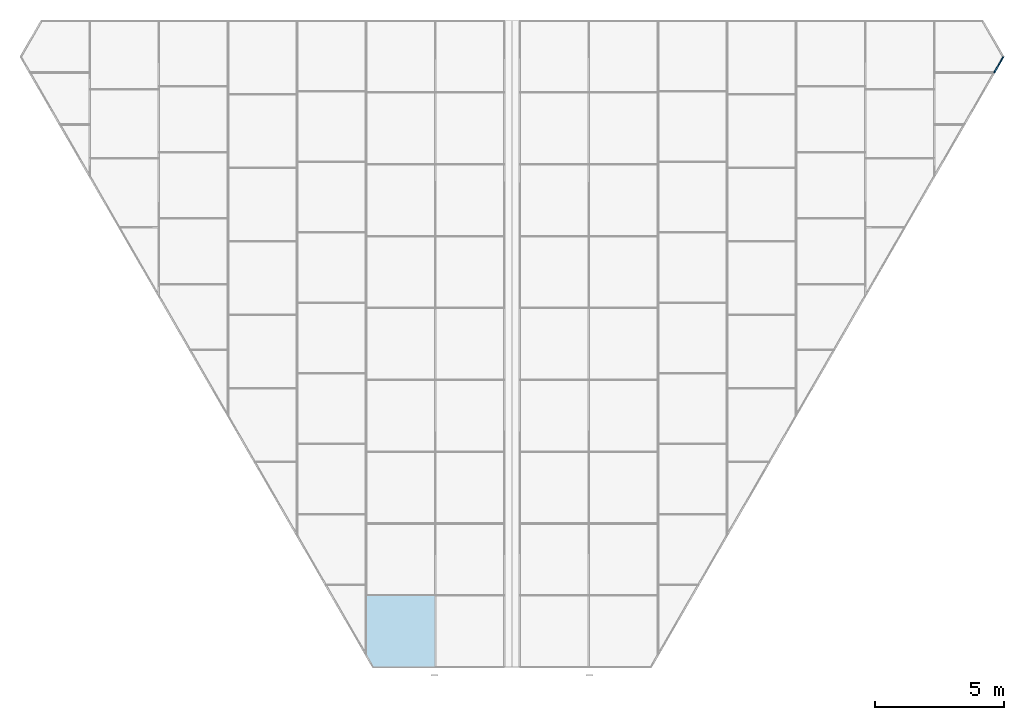
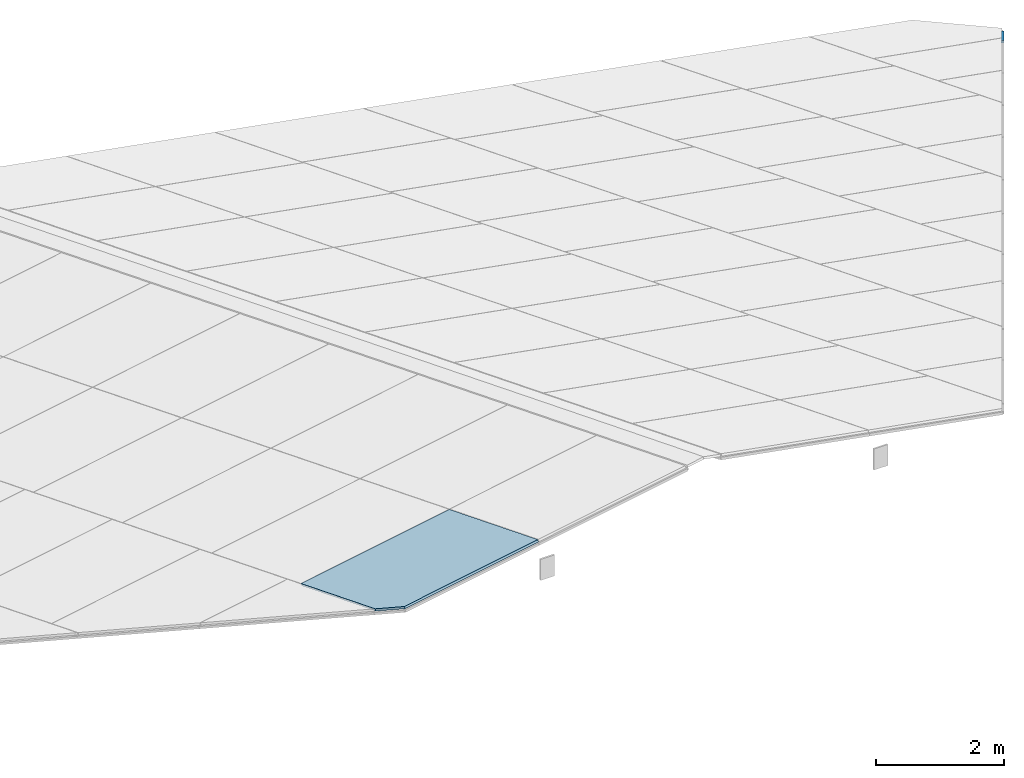
# One storey, part 7 of 12: 1 member, 1 plate, 2 elements without a shape of their own.
"""IFC4 building model written with IfcOpenShell, lengths in metres."""

from ifc_helpers import new_model, si_unit, direction, frame, origin, origin_2d, place, context, subcontext, project, spatial, polyline, rectangle, outline, extrude, material, layer, layer_set, material_profile, profile_set, type_object, element, aggregate, save


model = new_model("IFC4")

# Units and contexts
model_context = context("Model", 3, precision=1e-05, world=origin(), true_north=direction((0.0, 1.0)))
body_context = subcontext(model_context, "Body", "Model", "MODEL_VIEW")
ifc_project = project(units=[si_unit("LENGTHUNIT", "METRE"), si_unit("AREAUNIT", "SQUARE_METRE"), si_unit("VOLUMEUNIT", "CUBIC_METRE"), si_unit("PLANEANGLEUNIT", "RADIAN"), si_unit("MASSUNIT", "GRAM", prefix="KILO")], contexts=[model_context])

# Site, building, storey
site_placement = place(None, origin())
site = spatial("IfcSite", under=ifc_project, at=site_placement, CompositionType="ELEMENT")
building_placement = place(site_placement, origin())
building = spatial("IfcBuilding", under=site, at=building_placement, Name="Aloe Facet Convention Tower", CompositionType="ELEMENT")
storey_placement = place(building_placement, frame((0.0, 0.0, 306.5)))
storey = spatial("IfcBuildingStorey", under=building, at=storey_placement, Name="C6", CompositionType="ELEMENT", Elevation=306.5)

# Curtain wall, member
ifc_material_1 = material(Name="Aluminium, anodised", Category="aluminium")
curtain_wall_type = type_object("IfcCurtainWallType", Name="EV-CW-LANTERN", PredefinedType="USERDEFINED", material=ifc_material_1)
curtain_wall_1_placement = place(storey_placement, origin())
curtain_wall_1 = element("IfcCurtainWall", 1, at=curtain_wall_1_placement, inside=storey, type_object=curtain_wall_type, Name="CW-RE47", ObjectType="ROOF LANTERN GLAZING", PredefinedType="USERDEFINED")
ifc_material_2 = material(Name="Aluminium, anodised", Category="aluminium")
ifc_material_profile = material_profile(ifc_material_2, rectangle(XDim=0.050048828125, YDim=0.0400390625, at=origin_2d()), Name="AL 50x40")
ifc_profile_set = profile_set([ifc_material_profile], Name="Aluminium, anodised")
member_type = type_object("IfcMemberType", Name="EV-MULL-LANTERN", PredefinedType="MULLION", material=ifc_profile_set)
member_placement = place(storey_placement, frame((99.0087890625, 133.0947265625, -11.698974609375), z_axis=(-0.458621096716, -0.794111703729, 0.39881485886), x_axis=(0.865959057869, -0.500114896893, 0.0)))
member = element("IfcMember", 2, at=member_placement, type_object=member_type, Name="Glazing bar E47.1", PredefinedType="MULLION", context=body_context, shape_type="SweptSolid", body=[
    extrude(rectangle(XDim=0.050048828125, YDim=0.0400390625, at=origin_2d()), origin(), (0.0, 0.0, 1.0), 0.763427734375),
])
aggregate(curtain_wall_1, [member])

# Curtain wall, plate
curtain_wall_2_placement = place(storey_placement, origin())
curtain_wall_2 = element("IfcCurtainWall", 3, at=curtain_wall_2_placement, inside=storey, type_object=curtain_wall_type, Name="CW-RW10", ObjectType="ROOF LANTERN GLAZING", PredefinedType="USERDEFINED")
ifc_material_3 = material(Name="Clear double glazing", Category="glass")
ifc_layer = layer(ifc_material_3, 0.0400390625)
ifc_layer_set = layer_set([ifc_layer], Name="EV-PANEL-LANTERN")
plate_type = type_object("IfcPlateType", Name="EV-PANEL-LANTERN", PredefinedType="CURTAIN_PANEL", material=ifc_layer_set)
plate_placement = place(storey_placement, frame((77.023193359375, 109.49462890625, 0.654052734375), z_axis=(-0.164994062505, 0.36471684819, 0.91638342411), x_axis=(-0.984175638916, -1.08196e-05, -0.177195687439)))
plate = element("IfcPlate", 4, at=plate_placement, type_object=plate_type, Name="Roof glazing W10", PredefinedType="CURTAIN_PANEL", context=body_context, shape_type="SweptSolid", body=[
    extrude(outline(polyline([(0.0, 0.0), (2.4404622798123228, 0.0), (2.7394876663314878, -0.4887822910359413), (2.902122813106655, -2.966040332578581), (0.194729637093914, -2.9660138233702895), (0.0, 0.0)])), origin(), (0.0, 0.0, -1.0), 0.0400390625),
])
aggregate(curtain_wall_2, [plate])

save(model, "model.ifc")
